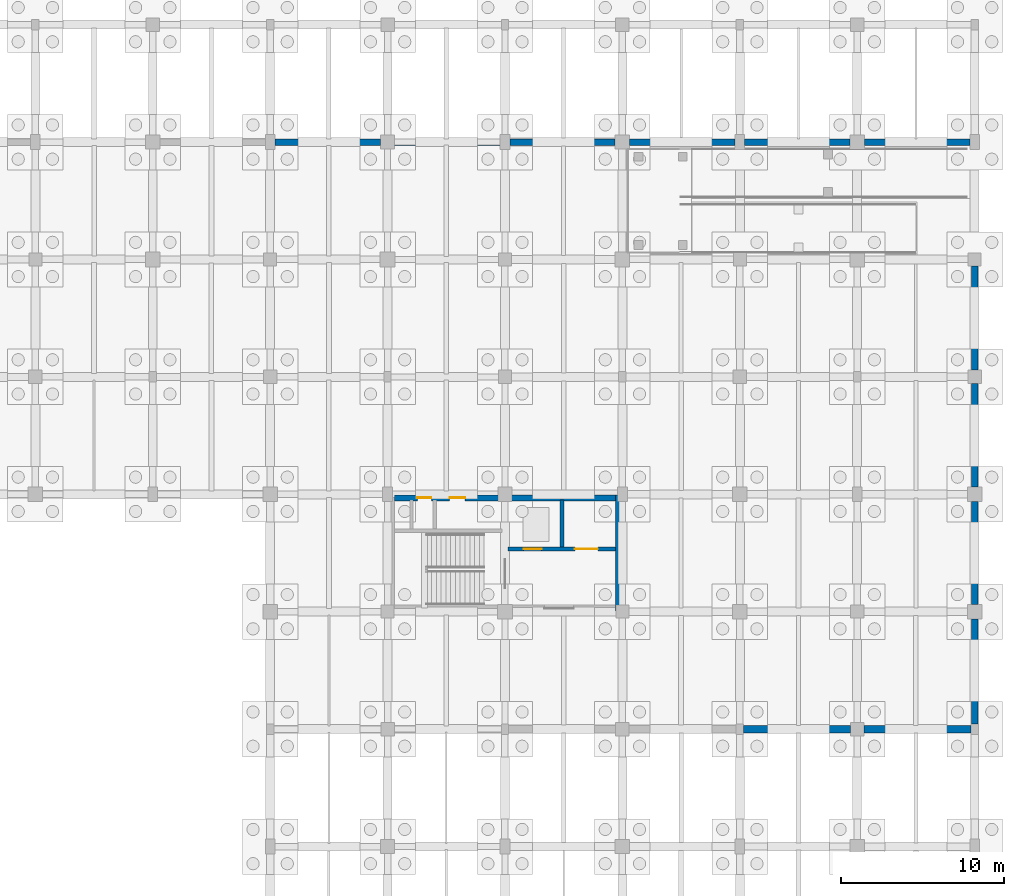
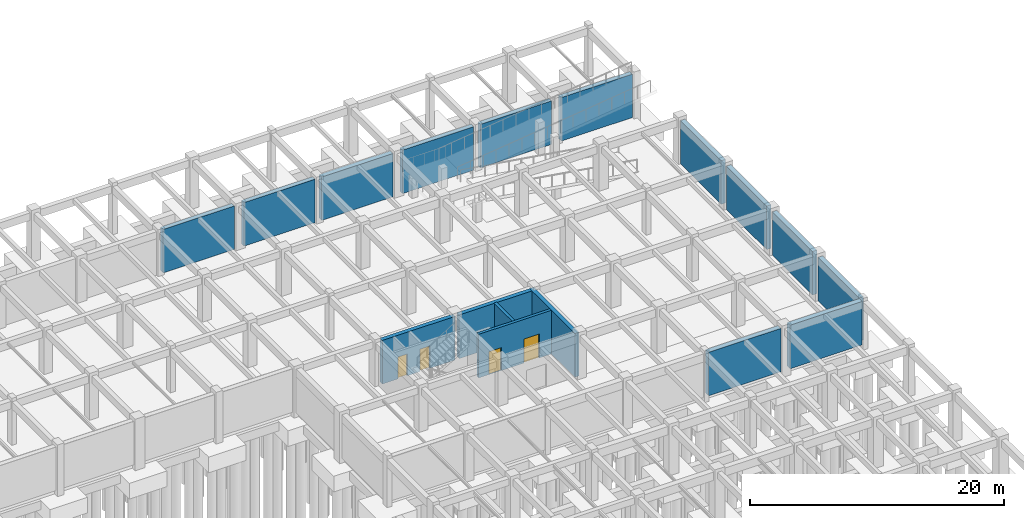
# One storey, part 42 of 47: 17 walls, 4 doors, 4 openings.
"""IFC4 building model written with IfcOpenShell, lengths in metres."""

from ifc_helpers import new_model, si_unit, direction, frame, frame_2d, origin, place, context, subcontext, project, spatial, rectangle, extrude, material, layer, layer_set, type_object, element, fill, save


model = new_model("IFC4")

# Units and contexts
model_context = context("Model", 3, precision=1e-05, world=origin(), true_north=direction((0.0, 1.0)))
body_context = subcontext(model_context, "Body", "Model", "MODEL_VIEW")
ifc_project = project(units=[si_unit("LENGTHUNIT", "METRE"), si_unit("AREAUNIT", "SQUARE_METRE"), si_unit("VOLUMEUNIT", "CUBIC_METRE"), si_unit("PLANEANGLEUNIT", "RADIAN"), si_unit("MASSUNIT", "GRAM", prefix="KILO")], contexts=[model_context])

# Site, building, storey
site_placement = place(None, origin())
site = spatial("IfcSite", under=ifc_project, at=site_placement, CompositionType="ELEMENT")
building_placement = place(site_placement, origin())
building = spatial("IfcBuilding", under=site, at=building_placement, Name="Thalmaran Polytechnic", CompositionType="ELEMENT")
storey_placement = place(building_placement, frame((0.0, 0.0, -4.5)))
storey = spatial("IfcBuildingStorey", under=building, at=storey_placement, Name="B1", CompositionType="ELEMENT", Elevation=-4.5)

# Walls
ifc_material_1 = material(Name="Autoclaved aerated masonry", Category="masonry")
ifc_layer_1 = layer(ifc_material_1, 0.25, Name="Autoclaved aerated masonry")
ifc_layer_set_1 = layer_set([ifc_layer_1], Name="Autoclaved aerated masonry")
wall_type_1 = type_object("IfcWallType", Name="WL-IW01", PredefinedType="PARTITIONING", material=ifc_layer_set_1)
wall_1_placement = place(storey_placement, frame((147.5, 90.3798828125, 0.0), z_axis=(0.0, 0.0, 1.0), x_axis=(0.0, 1.0, 0.0)))
element("IfcWall", 1, at=wall_1_placement, inside=storey, type_object=wall_type_1, Name="Core C5 Shaft Dividing Wall B1", PredefinedType="PARTITIONING", context=body_context, shape_type="SweptSolid", body=[
    extrude(rectangle(XDim=2.8701171875, YDim=0.25, at=frame_2d((1.43505859375, 0.0))), origin(), (0.0, 0.0, 1.0), 4.18994140625),
])
ifc_material_2 = material(Name="Concrete C40/50", Category="concrete")
ifc_layer_2 = layer(ifc_material_2, 0.449951171875, Name="Concrete C40/50")
ifc_layer_set_2 = layer_set([ifc_layer_2], Name="Concrete C40/50")
wall_type_2 = type_object("IfcWallType", Name="WL-RW01", PredefinedType="SOLIDWALL", material=ifc_layer_set_2)
for number, where, z_axis, x_axis, name in (
    (2, (172.574951171875, 79.199951171875, 0.0), (0.0, 0.0, 1.0), (-1.0, 0.0, 0.0), "Basement Retaining Wall B1-055"),
    (3, (165.18994140625, 79.199951171875, 0.0), (0.0, 0.0, 1.0), (-1.0, 0.0, 0.0), "Basement Retaining Wall B1-056"),
):
    element("IfcWall", number, at=place(storey_placement, frame(where, z_axis=z_axis, x_axis=x_axis)), inside=storey, type_object=wall_type_2, Name=name, PredefinedType="SOLIDWALL", context=body_context, shape_type="SweptSolid", body=[
        extrude(rectangle(XDim=6.56494140625, YDim=0.449951171875, at=frame_2d((3.282470703125, 0.0))), origin(), (0.0, 0.0, 1.0), 4.169921875),
    ])
ifc_layer_3 = layer(ifc_material_2, 0.39990234375, Name="Concrete C40/50")
ifc_layer_set_3 = layer_set([ifc_layer_3], Name="Concrete C40/50")
wall_type_3 = type_object("IfcWallType", Name="WL-RW02", PredefinedType="SOLIDWALL", material=ifc_layer_set_3)
wall_2_placement = place(storey_placement, frame((129.89990234375, 115.199951171875, 0.0), z_axis=(0.0, 0.0, 1.0), x_axis=(1.0, 0.0, 0.0)))
element("IfcWall", 4, at=wall_2_placement, inside=storey, type_object=wall_type_3, Name="Basement Retaining Wall B1-044", PredefinedType="SOLIDWALL", context=body_context, shape_type="SweptSolid", body=[
    extrude(rectangle(XDim=6.460205078125, YDim=0.39990234375, at=frame_2d((3.22998046875, 0.0))), origin(), (0.0, 0.0, 1.0), 4.169921875),
])
for number, where, z_axis, x_axis, name in (
    (5, (137.239990234375, 115.199951171875, 0.0), (0.0, 0.0, 1.0), (1.0, 0.0, 0.0), "Basement Retaining Wall B1-045"),
    (6, (144.300048828125, 115.199951171875, 0.0), (0.0, 0.0, 1.0), (1.0, 0.0, 0.0), "Basement Retaining Wall B1-046"),
):
    element("IfcWall", number, at=place(storey_placement, frame(where, z_axis=z_axis, x_axis=x_axis)), inside=storey, type_object=wall_type_3, Name=name, PredefinedType="SOLIDWALL", context=body_context, shape_type="SweptSolid", body=[
        extrude(rectangle(XDim=6.4599609375, YDim=0.39990234375, at=frame_2d((3.22998046875, 0.0))), origin(), (0.0, 0.0, 1.0), 4.169921875),
    ])
wall_3_placement = place(storey_placement, frame((151.639892578125, 115.199951171875, 0.0), z_axis=(0.0, 0.0, 1.0), x_axis=(1.0, 0.0, 0.0)))
element("IfcWall", 7, at=wall_3_placement, inside=storey, type_object=wall_type_3, Name="Basement Retaining Wall B1-047", PredefinedType="SOLIDWALL", context=body_context, shape_type="SweptSolid", body=[
    extrude(rectangle(XDim=6.460205078125, YDim=0.39990234375, at=frame_2d((3.22998046875, 0.0))), origin(), (0.0, 0.0, 1.0), 4.169921875),
])
for number, where, z_axis, x_axis, name in (
    (8, (158.699951171875, 115.199951171875, 0.0), (0.0, 0.0, 1.0), (1.0, 0.0, 0.0), "Basement Retaining Wall B1-048"),
    (9, (166.0400390625, 115.199951171875, 0.0), (0.0, 0.0, 1.0), (1.0, 0.0, 0.0), "Basement Retaining Wall B1-049"),
):
    element("IfcWall", number, at=place(storey_placement, frame(where, z_axis=z_axis, x_axis=x_axis)), inside=storey, type_object=wall_type_3, Name=name, PredefinedType="SOLIDWALL", context=body_context, shape_type="SweptSolid", body=[
        extrude(rectangle(XDim=6.4599609375, YDim=0.39990234375, at=frame_2d((3.22998046875, 0.0))), origin(), (0.0, 0.0, 1.0), 4.169921875),
    ])
wall_4_placement = place(storey_placement, frame((172.800048828125, 107.60009765625, 0.0), z_axis=(0.0, 0.0, 1.0), x_axis=(0.0, -1.0, 0.0)))
element("IfcWall", 10, at=wall_4_placement, inside=storey, type_object=wall_type_3, Name="Basement Retaining Wall B1-051", PredefinedType="SOLIDWALL", context=body_context, shape_type="SweptSolid", body=[
    extrude(rectangle(XDim=6.39013671875, YDim=0.39990234375, at=frame_2d((3.195068359375, 0.0))), origin(), (0.0, 0.0, 1.0), 4.169921875),
])
wall_5_placement = place(storey_placement, frame((172.800048828125, 100.389892578125, 0.0), z_axis=(0.0, 0.0, 1.0), x_axis=(0.0, -1.0, 0.0)))
element("IfcWall", 11, at=wall_5_placement, inside=storey, type_object=wall_type_3, Name="Basement Retaining Wall B1-052", PredefinedType="SOLIDWALL", context=body_context, shape_type="SweptSolid", body=[
    extrude(rectangle(XDim=6.349853515625, YDim=0.39990234375, at=frame_2d((3.1748046875, 0.0))), origin(), (0.0, 0.0, 1.0), 4.169921875),
])
wall_6_placement = place(storey_placement, frame((172.800048828125, 93.159912109375, 0.0), z_axis=(0.0, 0.0, 1.0), x_axis=(0.0, -1.0, 0.0)))
element("IfcWall", 12, at=wall_6_placement, inside=storey, type_object=wall_type_3, Name="Basement Retaining Wall B1-053", PredefinedType="SOLIDWALL", context=body_context, shape_type="SweptSolid", body=[
    extrude(rectangle(XDim=6.309814453125, YDim=0.39990234375, at=frame_2d((3.15478515625, 0.0))), origin(), (0.0, 0.0, 1.0), 4.169921875),
])
wall_7_placement = place(storey_placement, frame((172.800048828125, 85.949951171875, 0.0), z_axis=(0.0, 0.0, 1.0), x_axis=(0.0, -1.0, 0.0)))
element("IfcWall", 13, at=wall_7_placement, inside=storey, type_object=wall_type_3, Name="Basement Retaining Wall B1-054", PredefinedType="SOLIDWALL", context=body_context, shape_type="SweptSolid", body=[
    extrude(rectangle(XDim=6.425048828125, YDim=0.39990234375, at=frame_2d((3.21240234375, 0.0))), origin(), (0.0, 0.0, 1.0), 4.169921875),
])

# Wall, openings, doors
ifc_material_3 = material(Name="Concrete C50/60", Category="concrete")
ifc_layer_4 = layer(ifc_material_3, 0.3798828125, Name="Concrete C50/60")
ifc_layer_set_4 = layer_set([ifc_layer_4], Name="Concrete C50/60")
wall_type_4 = type_object("IfcWallType", Name="WL-SW02", PredefinedType="SHEAR", material=ifc_layer_set_4)
wall_8_placement = place(storey_placement, frame((137.2099609375, 93.3798828125, 0.0), z_axis=(0.0, 0.0, 1.0), x_axis=(1.0, 0.0, 0.0)))
wall_8 = element("IfcWall", 14, at=wall_8_placement, inside=storey, type_object=wall_type_4, Name="Core C5 North Shear Wall B1", PredefinedType="SHEAR", context=body_context, shape_type="SweptSolid", body=[
    extrude(rectangle(XDim=6.60009765625, YDim=0.3798828125, at=frame_2d((3.300048828125, 0.0))), origin(), (0.0, 0.0, 1.0), 4.18994140625),
])
opening_1_placement = place(wall_8_placement, frame((1.419921875, 0.0, 0.0)))
opening_1 = element("IfcOpeningElement", 15, at=opening_1_placement, cuts=wall_8, Name="Opening DR-C5-B1-R", PredefinedType="OPENING", context=body_context, shape_type="SweptSolid", body=[
    extrude(rectangle(XDim=0.85009765625, YDim=2.10009765625, at=frame_2d((0.425048828125, 1.050048828125))), frame((0.0, 0.199951171875, 0.0), z_axis=(0.0, -1.0, 0.0), x_axis=(1.0, 0.0, 0.0)), (0.0, 0.0, 1.0), 0.39990234375),
])
opening_2_placement = place(wall_8_placement, frame((3.39990234375, 0.0, 0.0)))
opening_2 = element("IfcOpeningElement", 16, at=opening_2_placement, cuts=wall_8, Name="Opening ED-C5-B1-E", PredefinedType="OPENING", context=body_context, shape_type="SweptSolid", body=[
    extrude(rectangle(XDim=0.949951171875, YDim=2.14990234375, at=frame_2d((0.47509765625, 1.074951171875))), frame((0.0, 0.199951171875, 0.0), z_axis=(0.0, -1.0, 0.0), x_axis=(1.0, 0.0, 0.0)), (0.0, 0.0, 1.0), 0.39990234375),
])
ifc_material_4 = material(Name="Powder-coated fire-rated steel", Category="steel")
door_type_1 = type_object("IfcDoorType", Name="DR-FD08", OperationType="NOTDEFINED", PredefinedType="DOOR", material=ifc_material_4)
door_1_placement = place(opening_2_placement, origin())
door_1 = element("IfcDoor", 17, at=door_1_placement, inside=storey, type_object=door_type_1, Name="Electrical Riser Door C5 B1", OperationType="SINGLE_SWING_RIGHT", OverallHeight=2.14990234375, OverallWidth=0.949951171875, PredefinedType="DOOR", context=body_context, shape_type="SweptSolid", body=[
    extrude(rectangle(XDim=0.949951171875, YDim=2.14990234375, at=frame_2d((0.47509765625, 1.074951171875))), frame((0.0, 0.02490234375, 0.0), z_axis=(0.0, -1.0, 0.0), x_axis=(1.0, 0.0, 0.0)), (0.0, 0.0, 1.0), 0.050048828125),
])
fill(opening_2, door_1)
door_type_2 = type_object("IfcDoorType", Name="DR-FD09", OperationType="NOTDEFINED", PredefinedType="DOOR", material=ifc_material_4)
door_2_placement = place(opening_1_placement, origin())
door_2 = element("IfcDoor", 18, at=door_2_placement, inside=storey, type_object=door_type_2, Name="Riser Access Fire Door C5 B1", OperationType="SINGLE_SWING_RIGHT", OverallHeight=2.10009765625, OverallWidth=0.85009765625, PredefinedType="DOOR", context=body_context, shape_type="SweptSolid", body=[
    extrude(rectangle(XDim=0.85009765625, YDim=2.10009765625, at=frame_2d((0.425048828125, 1.050048828125))), frame((0.0, 0.02490234375, 0.0), z_axis=(0.0, -1.0, 0.0), x_axis=(1.0, 0.0, 0.0)), (0.0, 0.0, 1.0), 0.050048828125),
])
fill(opening_1, door_2)

# Walls
wall_9_placement = place(storey_placement, frame((150.97998046875, 86.429931640625, 0.0), z_axis=(0.0, 0.0, 1.0), x_axis=(0.0, 1.0, 0.0)))
element("IfcWall", 19, at=wall_9_placement, inside=storey, type_object=wall_type_4, Name="Core C5 Lobby East Shear Wall B1", PredefinedType="SHEAR", context=body_context, shape_type="SweptSolid", body=[
    extrude(rectangle(XDim=7.14013671875, YDim=0.3798828125, at=frame_2d((3.570068359375, 0.0))), origin(), (0.0, 0.0, 1.0), 4.18994140625),
])
wall_10_placement = place(storey_placement, frame((144.18994140625, 93.3798828125, 0.0), z_axis=(0.0, 0.0, 1.0), x_axis=(1.0, 0.0, 0.0)))
element("IfcWall", 20, at=wall_10_placement, inside=storey, type_object=wall_type_4, Name="Core C5 Lift Shaft Back Shear Wall B1", PredefinedType="SHEAR", context=body_context, shape_type="SweptSolid", body=[
    extrude(rectangle(XDim=6.60009765625, YDim=0.3798828125, at=frame_2d((3.300048828125, 0.0))), origin(), (0.0, 0.0, 1.0), 4.18994140625),
])

# Wall, openings, doors
wall_11_placement = place(storey_placement, frame((144.18994140625, 90.25, 0.0), z_axis=(0.0, 0.0, 1.0), x_axis=(1.0, 0.0, 0.0)))
wall_11 = element("IfcWall", 21, at=wall_11_placement, inside=storey, type_object=wall_type_4, Name="Core C5 Lift Landing Front Wall B1", PredefinedType="SHEAR", context=body_context, shape_type="SweptSolid", body=[
    extrude(rectangle(XDim=6.60009765625, YDim=0.260009765625, at=frame_2d((3.300048828125, 0.0))), origin(), (0.0, 0.0, 1.0), 4.18994140625),
])
opening_3_placement = place(wall_11_placement, frame((0.949951171875, 0.0, 0.0)))
opening_3 = element("IfcOpeningElement", 22, at=opening_3_placement, cuts=wall_11, Name="Opening LD-PL-04-B1", PredefinedType="OPENING", context=body_context, shape_type="SweptSolid", body=[
    extrude(rectangle(XDim=1.10009765625, YDim=2.199951171875, at=frame_2d((0.550048828125, 1.10009765625))), frame((0.0, 0.139892578125, 0.0), z_axis=(0.0, -1.0, 0.0), x_axis=(1.0, 0.0, 0.0)), (0.0, 0.0, 1.0), 0.280029296875),
])
opening_4_placement = place(wall_11_placement, frame((4.10009765625, 0.0, 0.0)))
opening_4 = element("IfcOpeningElement", 23, at=opening_4_placement, cuts=wall_11, Name="Opening LD-GL-01-B1", PredefinedType="OPENING", context=body_context, shape_type="SweptSolid", body=[
    extrude(rectangle(XDim=1.39990234375, YDim=2.300048828125, at=frame_2d((0.699951171875, 1.14990234375))), frame((0.0, 0.139892578125, 0.0), z_axis=(0.0, -1.0, 0.0), x_axis=(1.0, 0.0, 0.0)), (0.0, 0.0, 1.0), 0.280029296875),
])
ifc_material_5 = material(Name="Brushed stainless steel lift door", Category="steel")
door_type_3 = type_object("IfcDoorType", Name="DR-LD01", OperationType="NOTDEFINED", PredefinedType="DOOR", material=ifc_material_5)
door_3_placement = place(opening_3_placement, origin())
door_3 = element("IfcDoor", 24, at=door_3_placement, inside=storey, type_object=door_type_3, Name="Lift Landing Door PL-04 B1", OperationType="SLIDING_TO_LEFT", OverallHeight=2.199951171875, OverallWidth=1.10009765625, PredefinedType="DOOR", context=body_context, shape_type="SweptSolid", body=[
    extrude(rectangle(XDim=1.10009765625, YDim=2.199951171875, at=frame_2d((0.550048828125, 1.10009765625))), frame((0.0, 0.02490234375, 0.0), z_axis=(0.0, -1.0, 0.0), x_axis=(1.0, 0.0, 0.0)), (0.0, 0.0, 1.0), 0.050048828125),
])
fill(opening_3, door_3)
door_type_4 = type_object("IfcDoorType", Name="DR-LD03", OperationType="NOTDEFINED", PredefinedType="DOOR", material=ifc_material_5)
door_4_placement = place(opening_4_placement, origin())
door_4 = element("IfcDoor", 25, at=door_4_placement, inside=storey, type_object=door_type_4, Name="Lift Landing Door GL-01 B1", OperationType="SLIDING_TO_RIGHT", OverallHeight=2.300048828125, OverallWidth=1.39990234375, PredefinedType="DOOR", context=body_context, shape_type="SweptSolid", body=[
    extrude(rectangle(XDim=1.39990234375, YDim=2.300048828125, at=frame_2d((0.699951171875, 1.14990234375))), frame((0.0, 0.02490234375, 0.0), z_axis=(0.0, -1.0, 0.0), x_axis=(1.0, 0.0, 0.0)), (0.0, 0.0, 1.0), 0.050048828125),
])
fill(opening_4, door_4)

save(model, "model.ifc")
